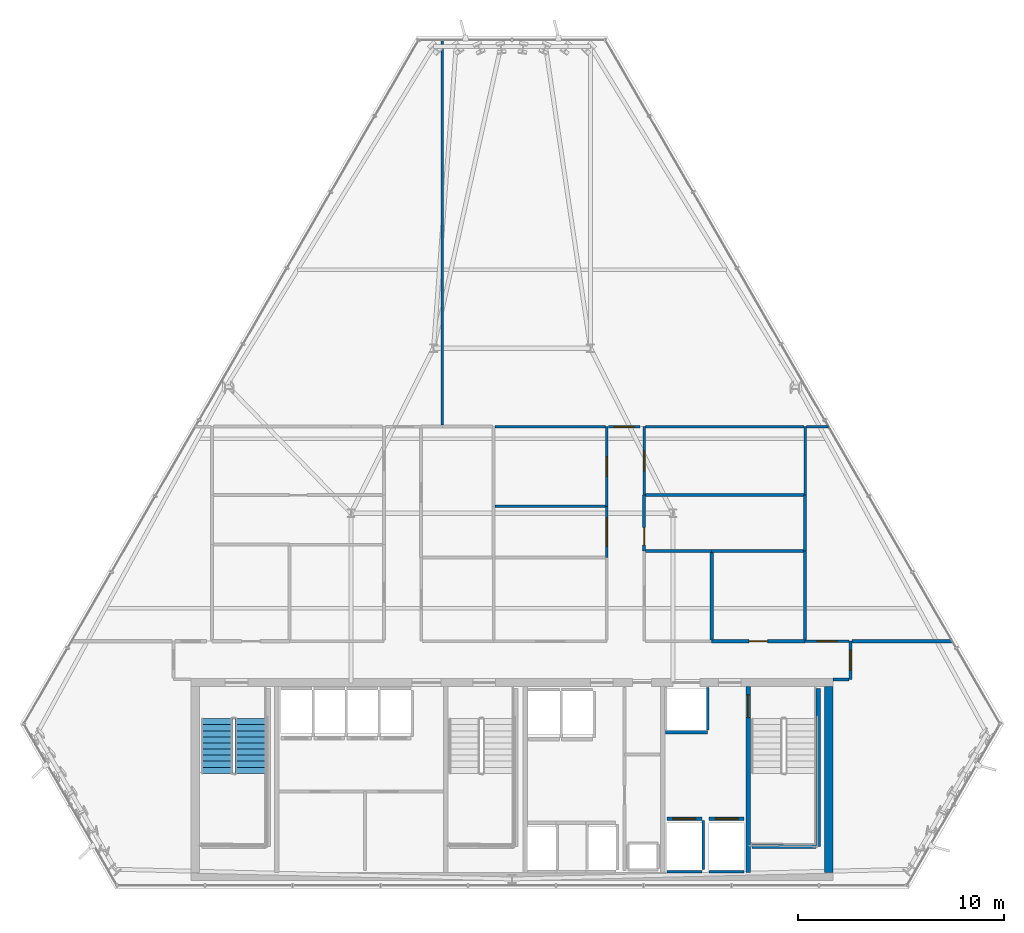
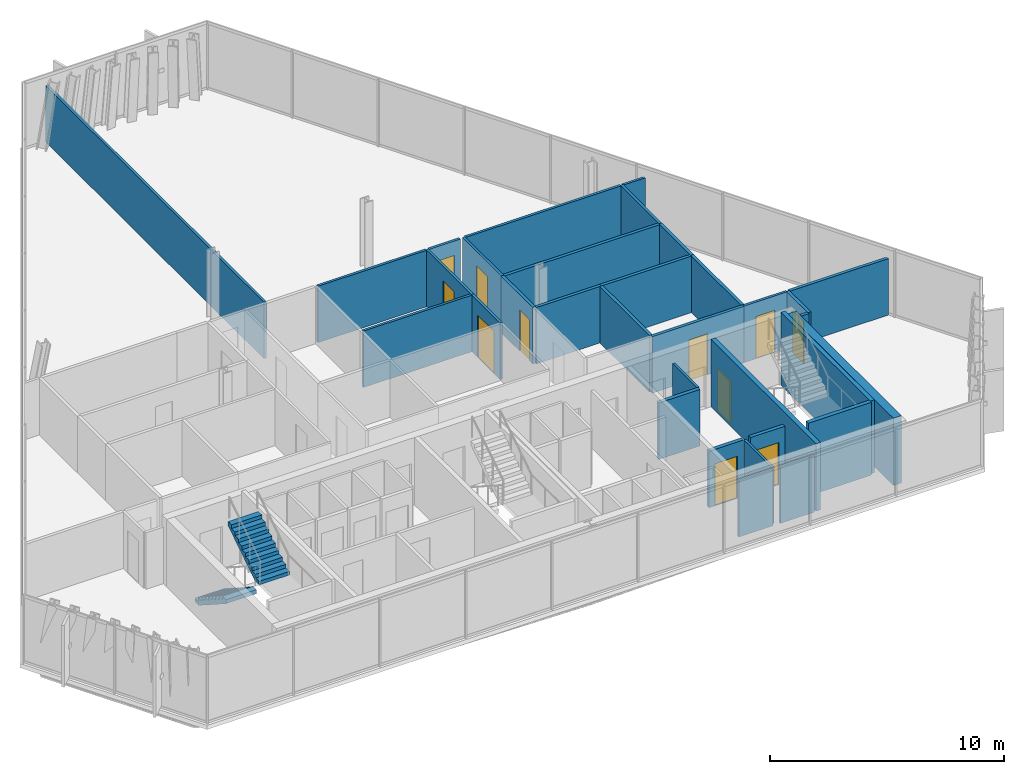
# One storey, part 29 of 34: 33 walls, 11 doors, 2 stair flights, 11 openings, 1 element without a shape of its own.
"""IFC4 building model written with IfcOpenShell, lengths in metres."""

from ifc_helpers import new_model, si_unit, direction, frame, frame_2d, origin, place, context, subcontext, project, spatial, polyline, rectangle, outline, extrude, material, layer, layer_set, type_object, element, fill, aggregate, save


model = new_model("IFC4")

# Units and contexts
model_context = context("Model", 3, precision=1e-05, world=origin(), true_north=direction((0.0, 1.0)))
body_context = subcontext(model_context, "Body", "Model", "MODEL_VIEW")
ifc_project = project(units=[si_unit("LENGTHUNIT", "METRE"), si_unit("AREAUNIT", "SQUARE_METRE"), si_unit("VOLUMEUNIT", "CUBIC_METRE"), si_unit("PLANEANGLEUNIT", "RADIAN"), si_unit("MASSUNIT", "GRAM", prefix="KILO")], contexts=[model_context])

# Site, building, storey
site_placement = place(None, origin())
site = spatial("IfcSite", under=ifc_project, at=site_placement, CompositionType="ELEMENT")
building_placement = place(site_placement, origin())
building = spatial("IfcBuilding", under=site, at=building_placement, Name="Ndaravel Arena Tower", CompositionType="ELEMENT")
storey_placement = place(building_placement, frame((0.0, 0.0, 199.199951171875)))
storey = spatial("IfcBuildingStorey", under=building, at=storey_placement, Name="L48", CompositionType="ELEMENT", Elevation=199.199951171875)

# Wall, opening, door
ifc_material_1 = material(Name="Concrete C50/60", Category="concrete")
ifc_layer_1 = layer(ifc_material_1, 0.219970703125)
ifc_layer_set_1 = layer_set([ifc_layer_1], Name="Concrete C50/60")
wall_type_1 = type_object("IfcWallType", Name="WALL-CORE-220", PredefinedType="SOLIDWALL", material=ifc_layer_set_1)
wall_1_placement = place(storey_placement, frame((53.449951171875, 5.800048828125, 0.0), z_axis=(0.0, 0.0, 1.0), x_axis=(0.0, 1.0, 0.0)))
wall_1 = element("IfcWall", 1, at=wall_1_placement, inside=storey, type_object=wall_type_1, Name="L48 Core Web Shear Wall 5", PredefinedType="SOLIDWALL", context=body_context, shape_type="SweptSolid", body=[
    extrude(rectangle(XDim=9.0, YDim=0.219970703125, at=frame_2d((4.5, 0.0))), origin(), (0.0, 0.0, 1.0), 3.52001953125),
])
opening_1_placement = place(wall_1_placement, frame((7.5, 0.0, 0.0)))
opening_1 = element("IfcOpeningElement", 2, at=opening_1_placement, cuts=wall_1, Name="Opening FD-01", PredefinedType="OPENING", context=body_context, shape_type="SweptSolid", body=[
    extrude(rectangle(XDim=1.10009765625, YDim=2.199951171875, at=frame_2d((0.550048828125, 1.10009765625))), frame((0.0, 0.10986328125, 0.0), z_axis=(0.0, -1.0, 0.0), x_axis=(1.0, 0.0, 0.0)), (0.0, 0.0, 1.0), 0.219970703125),
])
ifc_material_2 = material(Name="Steel S355", Category="steel")
door_type_1 = type_object("IfcDoorType", Name="DT-01-STAIR-1100", OperationType="SINGLE_SWING_LEFT", PredefinedType="DOOR", material=ifc_material_2)
door_1_placement = place(opening_1_placement, origin())
door_1 = element("IfcDoor", 3, at=door_1_placement, inside=storey, type_object=door_type_1, Name="L48 Firefighting Lobby to ST-3 Door", OperationType="SINGLE_SWING_LEFT", OverallHeight=2.199951171875, OverallWidth=1.10009765625, PredefinedType="DOOR", context=body_context, shape_type="SweptSolid", body=[
    extrude(rectangle(XDim=1.10009765625, YDim=2.199951171875, at=frame_2d((0.550048828125, 1.10009765625))), frame((0.0, 0.02490234375, 0.0), z_axis=(0.0, -1.0, 0.0), x_axis=(1.0, 0.0, 0.0)), (0.0, 0.0, 1.0), 0.050048828125),
])
fill(opening_1, door_1)

# Wall
ifc_material_3 = material(Name="Concrete C50/60", Category="concrete")
ifc_layer_2 = layer(ifc_material_3, 0.39990234375)
ifc_layer_set_2 = layer_set([ifc_layer_2], Name="Concrete C50/60")
wall_type_2 = type_object("IfcWallType", Name="WALL-CORE-400", PredefinedType="SOLIDWALL", material=ifc_layer_set_2)
wall_2_placement = place(storey_placement, frame((57.35009765625, 5.800048828125, 0.0), z_axis=(0.0, 0.0, 1.0), x_axis=(0.0, 1.0, 0.0)))
element("IfcWall", 4, at=wall_2_placement, inside=storey, type_object=wall_type_2, Name="L48 Core East Shear Wall", PredefinedType="SOLIDWALL", context=body_context, shape_type="SweptSolid", body=[
    extrude(rectangle(XDim=9.0, YDim=0.39990234375, at=frame_2d((4.5, 0.0))), origin(), (0.0, 0.0, 1.0), 3.52001953125),
])

# Wall, opening, door
ifc_material_4 = material(Name="Gypsum", Category="gypsum")
ifc_layer_3 = layer(ifc_material_4, 0.125)
ifc_layer_set_3 = layer_set([ifc_layer_3], Name="Gypsum")
wall_type_3 = type_object("IfcWallType", Name="WALL-PART-125", PredefinedType="PARTITIONING", material=ifc_layer_set_3)
wall_3_placement = place(storey_placement, frame((46.60009765625, 21.055908203125, 0.0), z_axis=(0.0, 0.0, 1.0), x_axis=(0.0, 1.0, 0.0)))
wall_3 = element("IfcWall", 5, at=wall_3_placement, inside=storey, type_object=wall_type_3, Name="L48 Interior Partition 017", PredefinedType="PARTITIONING", context=body_context, shape_type="SweptSolid", body=[
    extrude(rectangle(XDim=2.474365234375, YDim=0.125, at=frame_2d((1.2373046875, 0.0))), origin(), (0.0, 0.0, 1.0), 2.950439453125),
])
opening_2_placement = place(wall_3_placement, frame((0.537109375, 0.0, 0.0)))
opening_2 = element("IfcOpeningElement", 6, at=opening_2_placement, cuts=wall_3, Name="Opening ID-02", PredefinedType="OPENING", context=body_context, shape_type="SweptSolid", body=[
    extrude(rectangle(XDim=1.39990234375, YDim=2.199951171875, at=frame_2d((0.699951171875, 1.10009765625))), frame((0.0, 0.0625, 0.0), z_axis=(0.0, -1.0, 0.0), x_axis=(1.0, 0.0, 0.0)), (0.0, 0.0, 1.0), 0.125),
])
ifc_material_5 = material(Name="Timber", Category="wood")
door_type_2 = type_object("IfcDoorType", Name="DT-04-SUITE-1400", OperationType="DOUBLE_DOOR_SINGLE_SWING", PredefinedType="DOOR", material=ifc_material_5)
door_2_placement = place(opening_2_placement, origin())
door_2 = element("IfcDoor", 7, at=door_2_placement, inside=storey, type_object=door_type_2, Name="L48 Executive Dining Lounge 4 Door", OperationType="SINGLE_SWING_LEFT", OverallHeight=2.199951171875, OverallWidth=1.39990234375, PredefinedType="DOOR", context=body_context, shape_type="SweptSolid", body=[
    extrude(rectangle(XDim=1.39990234375, YDim=2.199951171875, at=frame_2d((0.699951171875, 1.10009765625))), frame((0.0, 0.02490234375, 0.0), z_axis=(0.0, -1.0, 0.0), x_axis=(1.0, 0.0, 0.0)), (0.0, 0.0, 1.0), 0.050048828125),
])
fill(opening_2, door_2)

wall_4_placement = place(storey_placement, frame((46.60009765625, 23.5302734375, 0.0), z_axis=(0.0, 0.0, 1.0), x_axis=(0.0, 1.0, 0.0)))
wall_4 = element("IfcWall", 8, at=wall_4_placement, inside=storey, type_object=wall_type_3, Name="L48 Interior Partition 018", PredefinedType="PARTITIONING", context=body_context, shape_type="SweptSolid", body=[
    extrude(rectangle(XDim=3.86962890625, YDim=0.125, at=frame_2d((1.934814453125, 0.0))), origin(), (0.0, 0.0, 1.0), 2.950439453125),
])
opening_3_placement = place(wall_4_placement, frame((1.4599609375, 0.0, 0.0)))
opening_3 = element("IfcOpeningElement", 9, at=opening_3_placement, cuts=wall_4, Name="Opening ID-01", PredefinedType="OPENING", context=body_context, shape_type="SweptSolid", body=[
    extrude(rectangle(XDim=0.949951171875, YDim=2.199951171875, at=frame_2d((0.47509765625, 1.10009765625))), frame((0.0, 0.0625, 0.0), z_axis=(0.0, -1.0, 0.0), x_axis=(1.0, 0.0, 0.0)), (0.0, 0.0, 1.0), 0.125),
])
ifc_material_6 = material(Name="Timber", Category="wood")
door_type_3 = type_object("IfcDoorType", Name="DT-03-OFFICE-950", OperationType="SINGLE_SWING_LEFT", PredefinedType="DOOR", material=ifc_material_6)
door_3_placement = place(opening_3_placement, origin())
door_3 = element("IfcDoor", 10, at=door_3_placement, inside=storey, type_object=door_type_3, Name="L48 Hospitality Sitting Room 6 Door", OperationType="SINGLE_SWING_LEFT", OverallHeight=2.199951171875, OverallWidth=0.949951171875, PredefinedType="DOOR", context=body_context, shape_type="SweptSolid", body=[
    extrude(rectangle(XDim=0.949951171875, YDim=2.199951171875, at=frame_2d((0.47509765625, 1.10009765625))), frame((0.0, 0.02490234375, 0.0), z_axis=(0.0, -1.0, 0.0), x_axis=(1.0, 0.0, 0.0)), (0.0, 0.0, 1.0), 0.050048828125),
])
fill(opening_3, door_3)

wall_5_placement = place(storey_placement, frame((46.6650390625, 27.39990234375, 0.0), z_axis=(0.0, 0.0, 1.0), x_axis=(1.0, 0.0, 0.0)))
wall_5 = element("IfcWall", 11, at=wall_5_placement, inside=storey, type_object=wall_type_3, Name="L48 Interior Partition 019", PredefinedType="PARTITIONING", context=body_context, shape_type="SweptSolid", body=[
    extrude(rectangle(XDim=1.534912109375, YDim=0.125, at=frame_2d((0.767578125, 0.0))), origin(), (0.0, 0.0, 1.0), 2.950439453125),
])
opening_4_placement = place(wall_5_placement, frame((0.29248046875, 0.0, 0.0)))
opening_4 = element("IfcOpeningElement", 12, at=opening_4_placement, cuts=wall_5, Name="Opening ID-01", PredefinedType="OPENING", context=body_context, shape_type="SweptSolid", body=[
    extrude(rectangle(XDim=0.949951171875, YDim=2.199951171875, at=frame_2d((0.47509765625, 1.10009765625))), frame((0.0, 0.0625, 0.0), z_axis=(0.0, -1.0, 0.0), x_axis=(1.0, 0.0, 0.0)), (0.0, 0.0, 1.0), 0.125),
])
door_4_placement = place(opening_4_placement, origin())
door_4 = element("IfcDoor", 13, at=door_4_placement, inside=storey, type_object=door_type_3, Name="L48 Executive Dining Lounge 8 Door", OperationType="SINGLE_SWING_LEFT", OverallHeight=2.199951171875, OverallWidth=0.949951171875, PredefinedType="DOOR", context=body_context, shape_type="SweptSolid", body=[
    extrude(rectangle(XDim=0.949951171875, YDim=2.199951171875, at=frame_2d((0.47509765625, 1.10009765625))), frame((0.0, 0.02490234375, 0.0), z_axis=(0.0, -1.0, 0.0), x_axis=(1.0, 0.0, 0.0)), (0.0, 0.0, 1.0), 0.050048828125),
])
fill(opening_4, door_4)

wall_6_placement = place(storey_placement, frame((48.39990234375, 27.39990234375, 0.0), z_axis=(0.0, 0.0, 1.0), x_axis=(0.0, -1.0, 0.0)))
wall_6 = element("IfcWall", 14, at=wall_6_placement, inside=storey, type_object=wall_type_3, Name="L48 Interior Partition 020", PredefinedType="PARTITIONING", context=body_context, shape_type="SweptSolid", body=[
    extrude(rectangle(XDim=3.3173828125, YDim=0.125, at=frame_2d((1.65869140625, 0.0))), origin(), (0.0, 0.0, 1.0), 2.950439453125),
])
opening_5_placement = place(wall_6_placement, frame((1.183837890625, 0.0, 0.0)))
opening_5 = element("IfcOpeningElement", 15, at=opening_5_placement, cuts=wall_6, Name="Opening ID-01", PredefinedType="OPENING", context=body_context, shape_type="SweptSolid", body=[
    extrude(rectangle(XDim=0.949951171875, YDim=2.199951171875, at=frame_2d((0.47509765625, 1.10009765625))), frame((0.0, 0.0625, 0.0), z_axis=(0.0, -1.0, 0.0), x_axis=(1.0, 0.0, 0.0)), (0.0, 0.0, 1.0), 0.125),
])
door_5_placement = place(opening_5_placement, origin())
door_5 = element("IfcDoor", 16, at=door_5_placement, inside=storey, type_object=door_type_3, Name="L48 Quiet Study Room 7 Door", OperationType="SINGLE_SWING_LEFT", OverallHeight=2.199951171875, OverallWidth=0.949951171875, PredefinedType="DOOR", context=body_context, shape_type="SweptSolid", body=[
    extrude(rectangle(XDim=0.949951171875, YDim=2.199951171875, at=frame_2d((0.47509765625, 1.10009765625))), frame((0.0, 0.02490234375, 0.0), z_axis=(0.0, -1.0, 0.0), x_axis=(1.0, 0.0, 0.0)), (0.0, 0.0, 1.0), 0.050048828125),
])
fill(opening_5, door_5)

wall_7_placement = place(storey_placement, frame((56.199951171875, 17.0, 0.0), z_axis=(0.0, 0.0, 1.0), x_axis=(1.0, 0.0, 0.0)))
wall_7 = element("IfcWall", 17, at=wall_7_placement, inside=storey, type_object=wall_type_3, Name="L48 Interior Partition 025", PredefinedType="PARTITIONING", context=body_context, shape_type="SweptSolid", body=[
    extrude(rectangle(XDim=2.135009765625, YDim=0.125, at=frame_2d((1.0673828125, 0.0))), origin(), (0.0, 0.0, 1.0), 2.950439453125),
])
opening_6_placement = place(wall_7_placement, frame((0.592529296875, 0.0, 0.0)))
opening_6 = element("IfcOpeningElement", 18, at=opening_6_placement, cuts=wall_7, Name="Opening ID-01", PredefinedType="OPENING", context=body_context, shape_type="SweptSolid", body=[
    extrude(rectangle(XDim=0.949951171875, YDim=2.199951171875, at=frame_2d((0.47509765625, 1.10009765625))), frame((0.0, 0.0625, 0.0), z_axis=(0.0, -1.0, 0.0), x_axis=(1.0, 0.0, 0.0)), (0.0, 0.0, 1.0), 0.125),
])
door_6_placement = place(opening_6_placement, origin())
door_6 = element("IfcDoor", 19, at=door_6_placement, inside=storey, type_object=door_type_3, Name="L48 Barista Galley 3 Door", OperationType="SINGLE_SWING_RIGHT", OverallHeight=2.199951171875, OverallWidth=0.949951171875, PredefinedType="DOOR", context=body_context, shape_type="SweptSolid", body=[
    extrude(rectangle(XDim=0.949951171875, YDim=2.199951171875, at=frame_2d((0.47509765625, 1.10009765625))), frame((0.0, 0.02490234375, 0.0), z_axis=(0.0, -1.0, 0.0), x_axis=(1.0, 0.0, 0.0)), (0.0, 0.0, 1.0), 0.050048828125),
])
fill(opening_6, door_6)

# Walls
wall_8_placement = place(storey_placement, frame((56.199951171875, 24.08251953125, 0.0), z_axis=(0.0, 0.0, 1.0), x_axis=(0.0, 1.0, 0.0)))
element("IfcWall", 20, at=wall_8_placement, inside=storey, type_object=wall_type_3, Name="L48 Interior Partition 042", PredefinedType="PARTITIONING", context=body_context, shape_type="SweptSolid", body=[
    extrude(rectangle(XDim=3.3173828125, YDim=0.125, at=frame_2d((1.65869140625, 0.0))), origin(), (0.0, 0.0, 1.0), 2.950439453125),
])
wall_9_placement = place(storey_placement, frame((56.264892578125, 27.39990234375, 0.0), z_axis=(0.0, 0.0, 1.0), x_axis=(1.0, 0.0, 0.0)))
element("IfcWall", 21, at=wall_9_placement, inside=storey, type_object=wall_type_3, Name="L48 Interior Partition 043", PredefinedType="PARTITIONING", context=body_context, shape_type="SweptSolid", body=[
    extrude(rectangle(XDim=1.069580078125, YDim=0.125, at=frame_2d((0.53466796875, 0.0))), origin(), (0.0, 0.0, 1.0), 2.950439453125),
])
for number, where, z_axis, x_axis, name in (
    (22, (41.175048828125, 23.5302734375, 0.0), (0.0, 0.0, 1.0), (1.0, 0.0, 0.0), "L48 Interior Partition 045"),
    (23, (41.175048828125, 27.39990234375, 0.0), (0.0, 0.0, 1.0), (1.0, 0.0, 0.0), "L48 Interior Partition 051"),
):
    element("IfcWall", number, at=place(storey_placement, frame(where, z_axis=z_axis, x_axis=x_axis)), inside=storey, type_object=wall_type_3, Name=name, PredefinedType="PARTITIONING", context=body_context, shape_type="SweptSolid", body=[
        extrude(rectangle(XDim=5.35986328125, YDim=0.125, at=frame_2d((2.679931640625, 0.0))), origin(), (0.0, 0.0, 1.0), 2.950439453125),
    ])
wall_10_placement = place(storey_placement, frame((48.465087890625, 27.39990234375, 0.0), z_axis=(0.0, 0.0, 1.0), x_axis=(1.0, 0.0, 0.0)))
element("IfcWall", 24, at=wall_10_placement, inside=storey, type_object=wall_type_3, Name="L48 Interior Partition 054", PredefinedType="PARTITIONING", context=body_context, shape_type="SweptSolid", body=[
    extrude(rectangle(XDim=7.669921875, YDim=0.125, at=frame_2d((3.8349609375, 0.0))), origin(), (0.0, 0.0, 1.0), 2.950439453125),
])
wall_11_placement = place(storey_placement, frame((38.62646484375, 46.1259765625, 0.0), z_axis=(0.0, 0.0, 1.0), x_axis=(0.0, -1.0, 0.0)))
element("IfcWall", 25, at=wall_11_placement, inside=storey, type_object=wall_type_3, Name="L48 Interior Partition 056", PredefinedType="PARTITIONING", context=body_context, shape_type="SweptSolid", body=[
    extrude(rectangle(XDim=18.660888671875, YDim=0.125, at=frame_2d((9.33056640625, 0.0))), origin(), (0.0, 0.0, 1.0), 2.950439453125),
])
ifc_material_7 = material(Name="Concrete C40/50", Category="concrete")
ifc_layer_4 = layer(ifc_material_7, 0.1201171875)
ifc_layer_set_4 = layer_set([ifc_layer_4], Name="Concrete C40/50")
wall_type_4 = type_object("IfcWallType", Name="WALL-SHAFT-120", PredefinedType="SOLIDWALL", material=ifc_layer_set_4)
wall_12_placement = place(storey_placement, frame((49.5048828125, 5.840087890625, 0.0), z_axis=(0.0, 0.0, 1.0), x_axis=(1.0, 0.0, 0.0)))
element("IfcWall", 26, at=wall_12_placement, inside=storey, type_object=wall_type_4, Name="L48 FFL-1 Shaft Rear Wall", PredefinedType="SOLIDWALL", context=body_context, shape_type="SweptSolid", body=[
    extrude(rectangle(XDim=1.690185546875, YDim=0.1201171875, at=frame_2d((0.84521484375, 0.0))), origin(), (0.0, 0.0, 1.0), 2.950439453125),
])
wall_13_placement = place(storey_placement, frame((51.27490234375, 5.929931640625, 0.0), z_axis=(0.0, 0.0, 1.0), x_axis=(0.0, 1.0, 0.0)))
element("IfcWall", 27, at=wall_13_placement, inside=storey, type_object=wall_type_4, Name="L48 FFL-1 Shaft Side R Wall", PredefinedType="SOLIDWALL", context=body_context, shape_type="SweptSolid", body=[
    extrude(rectangle(XDim=2.380126953125, YDim=0.1201171875, at=frame_2d((1.18994140625, 0.0))), origin(), (0.0, 0.0, 1.0), 2.950439453125),
])
wall_14_placement = place(storey_placement, frame((51.554931640625, 5.840087890625, 0.0), z_axis=(0.0, 0.0, 1.0), x_axis=(1.0, 0.0, 0.0)))
element("IfcWall", 28, at=wall_14_placement, inside=storey, type_object=wall_type_4, Name="L48 FFL-2 Shaft Rear Wall", PredefinedType="SOLIDWALL", context=body_context, shape_type="SweptSolid", body=[
    extrude(rectangle(XDim=1.690185546875, YDim=0.1201171875, at=frame_2d((0.84521484375, 0.0))), origin(), (0.0, 0.0, 1.0), 2.950439453125),
])
wall_15_placement = place(storey_placement, frame((51.47998046875, 12.68994140625, 0.0), z_axis=(0.0, 0.0, 1.0), x_axis=(0.0, 1.0, 0.0)))
element("IfcWall", 29, at=wall_15_placement, inside=storey, type_object=wall_type_4, Name="L48 SVL-1 Shaft E Wall", PredefinedType="SOLIDWALL", context=body_context, shape_type="SweptSolid", body=[
    extrude(rectangle(XDim=2.070068359375, YDim=0.1201171875, at=frame_2d((1.03515625, 0.0))), origin(), (0.0, 0.0, 1.0), 2.950439453125),
])
ifc_material_8 = material(Name="Concrete C40/50", Category="concrete")
ifc_layer_5 = layer(ifc_material_8, 0.199951171875)
ifc_layer_set_5 = layer_set([ifc_layer_5], Name="Concrete C40/50")
wall_type_5 = type_object("IfcWallType", Name="WALL-SHAFT-200", PredefinedType="SOLIDWALL", material=ifc_layer_set_5)
wall_16_placement = place(storey_placement, frame((56.840087890625, 14.699951171875, 0.0), z_axis=(0.0, 0.0, 1.0), x_axis=(0.0, -1.0, 0.0)))
element("IfcWall", 30, at=wall_16_placement, inside=storey, type_object=wall_type_5, Name="L48 ST-3 Structural Shaft Wall Right", PredefinedType="SOLIDWALL", context=body_context, shape_type="SweptSolid", body=[
    extrude(rectangle(XDim=7.64990234375, YDim=0.199951171875, at=frame_2d((3.824951171875, 0.0))), origin(), (0.0, 0.0, 1.0), 3.800048828125),
])
wall_17_placement = place(storey_placement, frame((53.6201171875, 7.050048828125, 0.0), z_axis=(0.0, 0.0, 1.0), x_axis=(1.0, 0.0, 0.0)))
element("IfcWall", 31, at=wall_17_placement, inside=storey, type_object=wall_type_5, Name="L48 ST-3 Structural Shaft Wall Far", PredefinedType="SOLIDWALL", context=body_context, shape_type="SweptSolid", body=[
    extrude(rectangle(XDim=3.114990234375, YDim=0.199951171875, at=frame_2d((1.5576171875, 0.0))), origin(), (0.0, 0.0, 1.0), 3.800048828125),
])

# Wall, opening, door
wall_18_placement = place(storey_placement, frame((49.5048828125, 8.39990234375, 0.0), z_axis=(0.0, 0.0, 1.0), x_axis=(1.0, 0.0, 0.0)))
wall_18 = element("IfcWall", 32, at=wall_18_placement, inside=storey, type_object=wall_type_5, Name="L48 FFL-1 Shaft Landing Wall", PredefinedType="SOLIDWALL", context=body_context, shape_type="SweptSolid", body=[
    extrude(rectangle(XDim=1.690185546875, YDim=0.179931640625, at=frame_2d((0.84521484375, 0.0))), origin(), (0.0, 0.0, 1.0), 2.950439453125),
])
opening_7_placement = place(wall_18_placement, frame((0.294921875, 0.0, 0.0)))
opening_7 = element("IfcOpeningElement", 33, at=opening_7_placement, cuts=wall_18, Name="Opening LD-01", PredefinedType="OPENING", context=body_context, shape_type="SweptSolid", body=[
    extrude(rectangle(XDim=1.10009765625, YDim=2.199951171875, at=frame_2d((0.550048828125, 1.10009765625))), frame((0.0, 0.08984375, 0.0), z_axis=(0.0, -1.0, 0.0), x_axis=(1.0, 0.0, 0.0)), (0.0, 0.0, 1.0), 0.179931640625),
])
ifc_material_9 = material(Name="Steel S355", Category="steel")
door_type_4 = type_object("IfcDoorType", Name="DT-06-LIFT-1100", OperationType="SLIDING_TO_LEFT", PredefinedType="DOOR", material=ifc_material_9)
door_7_placement = place(opening_7_placement, origin())
door_7 = element("IfcDoor", 34, at=door_7_placement, inside=storey, type_object=door_type_4, Name="L48 Lift FFL-1 Sliding Landing Door", OperationType="SLIDING_TO_LEFT", OverallHeight=2.199951171875, OverallWidth=1.10009765625, PredefinedType="DOOR", context=body_context, shape_type="SweptSolid", body=[
    extrude(rectangle(XDim=1.10009765625, YDim=2.199951171875, at=frame_2d((0.550048828125, 1.10009765625))), frame((0.0, 0.02490234375, 0.0), z_axis=(0.0, -1.0, 0.0), x_axis=(1.0, 0.0, 0.0)), (0.0, 0.0, 1.0), 0.050048828125),
])
fill(opening_7, door_7)

wall_19_placement = place(storey_placement, frame((51.554931640625, 8.39990234375, 0.0), z_axis=(0.0, 0.0, 1.0), x_axis=(1.0, 0.0, 0.0)))
wall_19 = element("IfcWall", 35, at=wall_19_placement, inside=storey, type_object=wall_type_5, Name="L48 FFL-2 Shaft Landing Wall", PredefinedType="SOLIDWALL", context=body_context, shape_type="SweptSolid", body=[
    extrude(rectangle(XDim=1.690185546875, YDim=0.179931640625, at=frame_2d((0.84521484375, 0.0))), origin(), (0.0, 0.0, 1.0), 2.950439453125),
])
opening_8_placement = place(wall_19_placement, frame((0.294921875, 0.0, 0.0)))
opening_8 = element("IfcOpeningElement", 36, at=opening_8_placement, cuts=wall_19, Name="Opening LD-01", PredefinedType="OPENING", context=body_context, shape_type="SweptSolid", body=[
    extrude(rectangle(XDim=1.10009765625, YDim=2.199951171875, at=frame_2d((0.550048828125, 1.10009765625))), frame((0.0, 0.08984375, 0.0), z_axis=(0.0, -1.0, 0.0), x_axis=(1.0, 0.0, 0.0)), (0.0, 0.0, 1.0), 0.179931640625),
])
door_8_placement = place(opening_8_placement, origin())
door_8 = element("IfcDoor", 37, at=door_8_placement, inside=storey, type_object=door_type_4, Name="L48 Lift FFL-2 Sliding Landing Door", OperationType="SLIDING_TO_LEFT", OverallHeight=2.199951171875, OverallWidth=1.10009765625, PredefinedType="DOOR", context=body_context, shape_type="SweptSolid", body=[
    extrude(rectangle(XDim=1.10009765625, YDim=2.199951171875, at=frame_2d((0.550048828125, 1.10009765625))), frame((0.0, 0.02490234375, 0.0), z_axis=(0.0, -1.0, 0.0), x_axis=(1.0, 0.0, 0.0)), (0.0, 0.0, 1.0), 0.050048828125),
])
fill(opening_8, door_8)

# Wall
wall_20_placement = place(storey_placement, frame((49.43994140625, 12.594970703125, 0.0), z_axis=(0.0, 0.0, 1.0), x_axis=(1.0, 0.0, 0.0)))
element("IfcWall", 38, at=wall_20_placement, inside=storey, type_object=wall_type_5, Name="L48 SVL-1 Shaft South Wall", PredefinedType="SOLIDWALL", context=body_context, shape_type="SweptSolid", body=[
    extrude(rectangle(XDim=2.0400390625, YDim=0.179931640625, at=frame_2d((1.02001953125, 0.0))), origin(), (0.0, 0.0, 1.0), 2.950439453125),
])

# Wall, opening, door
ifc_material_10 = material(Name="Masonry", Category="masonry")
ifc_layer_6 = layer(ifc_material_10, 0.14990234375)
ifc_layer_set_6 = layer_set([ifc_layer_6], Name="Masonry")
wall_type_6 = type_object("IfcWallType", Name="WALL-WET-150", PredefinedType="PARTITIONING", material=ifc_layer_set_6)
wall_21_placement = place(storey_placement, frame((58.39990234375, 17.0, 0.0), z_axis=(0.0, 0.0, 1.0), x_axis=(0.0, -1.0, 0.0)))
wall_21 = element("IfcWall", 39, at=wall_21_placement, inside=storey, type_object=wall_type_6, Name="L48 Interior Partition 001", PredefinedType="PARTITIONING", context=body_context, shape_type="SweptSolid", body=[
    extrude(rectangle(XDim=1.85009765625, YDim=0.14990234375, at=frame_2d((0.925048828125, 0.0))), origin(), (0.0, 0.0, 1.0), 2.950439453125),
])
opening_9_placement = place(wall_21_placement, frame((0.449951171875, 0.0, 0.0)))
opening_9 = element("IfcOpeningElement", 40, at=opening_9_placement, cuts=wall_21, Name="Opening FD-03", PredefinedType="OPENING", context=body_context, shape_type="SweptSolid", body=[
    extrude(rectangle(XDim=0.949951171875, YDim=2.199951171875, at=frame_2d((0.47509765625, 1.10009765625))), frame((0.0, 0.074951171875, 0.0), z_axis=(0.0, -1.0, 0.0), x_axis=(1.0, 0.0, 0.0)), (0.0, 0.0, 1.0), 0.14990234375),
])
ifc_material_11 = material(Name="Steel S355", Category="steel")
door_type_5 = type_object("IfcDoorType", Name="DT-11-CORE-950", OperationType="SINGLE_SWING_LEFT", PredefinedType="DOOR", material=ifc_material_11)
door_9_placement = place(opening_9_placement, origin())
door_9 = element("IfcDoor", 41, at=door_9_placement, inside=storey, type_object=door_type_5, Name="L48 Staff Espresso Kitchen Door", OperationType="SINGLE_SWING_RIGHT", OverallHeight=2.199951171875, OverallWidth=0.949951171875, PredefinedType="DOOR", context=body_context, shape_type="SweptSolid", body=[
    extrude(rectangle(XDim=0.949951171875, YDim=2.199951171875, at=frame_2d((0.47509765625, 1.10009765625))), frame((0.0, 0.02490234375, 0.0), z_axis=(0.0, -1.0, 0.0), x_axis=(1.0, 0.0, 0.0)), (0.0, 0.0, 1.0), 0.050048828125),
])
fill(opening_9, door_9)

# Wall
wall_22_placement = place(storey_placement, frame((58.3349609375, 15.14990234375, 0.0), z_axis=(0.0, 0.0, 1.0), x_axis=(-1.0, 0.0, 0.0)))
element("IfcWall", 42, at=wall_22_placement, inside=storey, type_object=wall_type_6, Name="L48 Interior Partition 002", PredefinedType="PARTITIONING", context=body_context, shape_type="SweptSolid", body=[
    extrude(rectangle(XDim=0.784912109375, YDim=0.14990234375, at=frame_2d((0.392578125, 0.0))), origin(), (0.0, 0.0, 1.0), 2.950439453125),
])

# Wall, opening, door
wall_23_placement = place(storey_placement, frame((48.39990234375, 24.08251953125, 0.0), z_axis=(0.0, 0.0, 1.0), x_axis=(0.0, -1.0, 0.0)))
wall_23 = element("IfcWall", 43, at=wall_23_placement, inside=storey, type_object=wall_type_6, Name="L48 Interior Partition 021", PredefinedType="PARTITIONING", context=body_context, shape_type="SweptSolid", body=[
    extrude(rectangle(XDim=2.714599609375, YDim=0.14990234375, at=frame_2d((1.357421875, 0.0))), origin(), (0.0, 0.0, 1.0), 2.950439453125),
])
opening_10_placement = place(wall_23_placement, frame((1.582275390625, 0.0, 0.0)))
opening_10 = element("IfcOpeningElement", 44, at=opening_10_placement, cuts=wall_23, Name="Opening ID-03", PredefinedType="OPENING", context=body_context, shape_type="SweptSolid", body=[
    extrude(rectangle(XDim=0.85009765625, YDim=2.14990234375, at=frame_2d((0.425048828125, 1.074951171875))), frame((0.0, 0.074951171875, 0.0), z_axis=(0.0, -1.0, 0.0), x_axis=(1.0, 0.0, 0.0)), (0.0, 0.0, 1.0), 0.14990234375),
])
ifc_material_12 = material(Name="Timber", Category="wood")
door_type_6 = type_object("IfcDoorType", Name="DT-12-SUB-850", OperationType="SINGLE_SWING_LEFT", PredefinedType="DOOR", material=ifc_material_12)
door_10_placement = place(opening_10_placement, origin())
door_10 = element("IfcDoor", 45, at=door_10_placement, inside=storey, type_object=door_type_6, Name="L48 Floor Servery Kitchen 4 Door", OperationType="SINGLE_SWING_LEFT", OverallHeight=2.14990234375, OverallWidth=0.85009765625, PredefinedType="DOOR", context=body_context, shape_type="SweptSolid", body=[
    extrude(rectangle(XDim=0.85009765625, YDim=2.14990234375, at=frame_2d((0.425048828125, 1.074951171875))), frame((0.0, 0.02490234375, 0.0), z_axis=(0.0, -1.0, 0.0), x_axis=(1.0, 0.0, 0.0)), (0.0, 0.0, 1.0), 0.050048828125),
])
fill(opening_10, door_10)

wall_24_placement = place(storey_placement, frame((51.676025390625, 17.0, 0.0), z_axis=(0.0, 0.0, 1.0), x_axis=(1.0, 0.0, 0.0)))
wall_24 = element("IfcWall", 46, at=wall_24_placement, inside=storey, type_object=wall_type_6, Name="L48 Interior Partition 024", PredefinedType="PARTITIONING", context=body_context, shape_type="SweptSolid", body=[
    extrude(rectangle(XDim=4.52392578125, YDim=0.14990234375, at=frame_2d((2.261962890625, 0.0))), origin(), (0.0, 0.0, 1.0), 2.950439453125),
])
opening_11_placement = place(wall_24_placement, frame((1.81201171875, 0.0, 0.0)))
opening_11 = element("IfcOpeningElement", 47, at=opening_11_placement, cuts=wall_24, Name="Opening WD-01", PredefinedType="OPENING", context=body_context, shape_type="SweptSolid", body=[
    extrude(rectangle(XDim=0.89990234375, YDim=2.14990234375, at=frame_2d((0.449951171875, 1.074951171875))), frame((0.0, 0.074951171875, 0.0), z_axis=(0.0, -1.0, 0.0), x_axis=(1.0, 0.0, 0.0)), (0.0, 0.0, 1.0), 0.14990234375),
])
ifc_material_13 = material(Name="Timber", Category="wood")
door_type_7 = type_object("IfcDoorType", Name="DT-05-WC-900", OperationType="SINGLE_SWING_LEFT", PredefinedType="DOOR", material=ifc_material_13)
door_11_placement = place(opening_11_placement, origin())
door_11 = element("IfcDoor", 48, at=door_11_placement, inside=storey, type_object=door_type_7, Name="L48 Male Staff & Visitor Restroom Door", OperationType="SINGLE_SWING_RIGHT", OverallHeight=2.14990234375, OverallWidth=0.89990234375, PredefinedType="DOOR", context=body_context, shape_type="SweptSolid", body=[
    extrude(rectangle(XDim=0.89990234375, YDim=2.14990234375, at=frame_2d((0.449951171875, 1.074951171875))), frame((0.0, 0.02490234375, 0.0), z_axis=(0.0, -1.0, 0.0), x_axis=(1.0, 0.0, 0.0)), (0.0, 0.0, 1.0), 0.050048828125),
])
fill(opening_11, door_11)

# Walls
wall_25_placement = place(storey_placement, frame((58.465087890625, 17.0, 0.0), z_axis=(0.0, 0.0, 1.0), x_axis=(1.0, 0.0, 0.0)))
element("IfcWall", 49, at=wall_25_placement, inside=storey, type_object=wall_type_6, Name="L48 Interior Partition 027", PredefinedType="PARTITIONING", context=body_context, shape_type="SweptSolid", body=[
    extrude(rectangle(XDim=4.873779296875, YDim=0.14990234375, at=frame_2d((2.43701171875, 0.0))), origin(), (0.0, 0.0, 1.0), 2.950439453125),
])
wall_26_placement = place(storey_placement, frame((48.465087890625, 21.367919921875, 0.0), z_axis=(0.0, 0.0, 1.0), x_axis=(1.0, 0.0, 0.0)))
element("IfcWall", 50, at=wall_26_placement, inside=storey, type_object=wall_type_6, Name="L48 Interior Partition 031", PredefinedType="PARTITIONING", context=body_context, shape_type="SweptSolid", body=[
    extrude(rectangle(XDim=3.2109375, YDim=0.14990234375, at=frame_2d((1.60546875, 0.0))), origin(), (0.0, 0.0, 1.0), 2.950439453125),
])
wall_27_placement = place(storey_placement, frame((51.676025390625, 21.302978515625, 0.0), z_axis=(0.0, 0.0, 1.0), x_axis=(0.0, -1.0, 0.0)))
element("IfcWall", 51, at=wall_27_placement, inside=storey, type_object=wall_type_6, Name="L48 Interior Partition 032", PredefinedType="PARTITIONING", context=body_context, shape_type="SweptSolid", body=[
    extrude(rectangle(XDim=4.238037109375, YDim=0.14990234375, at=frame_2d((2.119140625, 0.0))), origin(), (0.0, 0.0, 1.0), 2.950439453125),
])
wall_28_placement = place(storey_placement, frame((56.199951171875, 21.367919921875, 0.0), z_axis=(0.0, 0.0, 1.0), x_axis=(0.0, -1.0, 0.0)))
element("IfcWall", 52, at=wall_28_placement, inside=storey, type_object=wall_type_6, Name="L48 Interior Partition 033", PredefinedType="PARTITIONING", context=body_context, shape_type="SweptSolid", body=[
    extrude(rectangle(XDim=4.302978515625, YDim=0.14990234375, at=frame_2d((2.1513671875, 0.0))), origin(), (0.0, 0.0, 1.0), 2.950439453125),
])
wall_29_placement = place(storey_placement, frame((51.676025390625, 21.367919921875, 0.0), z_axis=(0.0, 0.0, 1.0), x_axis=(1.0, 0.0, 0.0)))
element("IfcWall", 53, at=wall_29_placement, inside=storey, type_object=wall_type_6, Name="L48 Interior Partition 034", PredefinedType="PARTITIONING", context=body_context, shape_type="SweptSolid", body=[
    extrude(rectangle(XDim=4.458984375, YDim=0.14990234375, at=frame_2d((2.2294921875, 0.0))), origin(), (0.0, 0.0, 1.0), 2.950439453125),
])
wall_30_placement = place(storey_placement, frame((56.199951171875, 21.367919921875, 0.0), z_axis=(0.0, 0.0, 1.0), x_axis=(0.0, 1.0, 0.0)))
element("IfcWall", 54, at=wall_30_placement, inside=storey, type_object=wall_type_6, Name="L48 Interior Partition 041", PredefinedType="PARTITIONING", context=body_context, shape_type="SweptSolid", body=[
    extrude(rectangle(XDim=2.714599609375, YDim=0.14990234375, at=frame_2d((1.357421875, 0.0))), origin(), (0.0, 0.0, 1.0), 2.950439453125),
])
wall_31_placement = place(storey_placement, frame((48.465087890625, 24.08251953125, 0.0), z_axis=(0.0, 0.0, 1.0), x_axis=(1.0, 0.0, 0.0)))
element("IfcWall", 55, at=wall_31_placement, inside=storey, type_object=wall_type_6, Name="L48 Interior Partition 046", PredefinedType="PARTITIONING", context=body_context, shape_type="SweptSolid", body=[
    extrude(rectangle(XDim=7.669921875, YDim=0.14990234375, at=frame_2d((3.8349609375, 0.0))), origin(), (0.0, 0.0, 1.0), 2.950439453125),
])

# Stair, stair flights
ifc_material_14 = material(Name="Concrete C40/50", Category="concrete")
stair_type = type_object("IfcStairType", Name="STAIR-CORE-HT", PredefinedType="HALF_TURN_STAIR", material=ifc_material_14)
stair_placement = place(storey_placement, origin())
stair = element("IfcStair", 56, at=stair_placement, inside=storey, type_object=stair_type, Name="L48 ST-1", PredefinedType="HALF_TURN_STAIR")
ifc_material_15 = material(Name="Concrete C40/50", Category="concrete")
stair_flight_type = type_object("IfcStairFlightType", Name="SFLIGHT-CORE-1680", PredefinedType="STRAIGHT", material=ifc_material_15)
stair_flight_1_placement = place(storey_placement, frame((27.699951171875, 13.25, 0.0), z_axis=(0.0, 0.0, 1.0), x_axis=(0.0, -1.0, 0.0)))
stair_flight_1 = element("IfcStairFlight", 57, at=stair_flight_1_placement, type_object=stair_flight_type, Name="ST-1 flight 1", NumberOfRisers=10, NumberOfTreads=9, PredefinedType="STRAIGHT", RiserHeight=0.19, TreadLength=0.295, context=body_context, shape_type="SweptSolid", body=[
    extrude(outline(polyline([(0.0, 0.0), (0.0, 0.18994140625), (0.294921875, 0.18994140625), (0.294921875, 0.3798828125), (0.590087890625, 0.3798828125), (0.590087890625, 0.570068359375), (0.885009765625, 0.570068359375), (0.885009765625, 0.760009765625), (1.179931640625, 0.760009765625), (1.179931640625, 0.949951171875), (1.47509765625, 0.949951171875), (1.47509765625, 1.139892578125), (1.77001953125, 1.139892578125), (1.77001953125, 1.330078125), (2.06494140625, 1.330078125), (2.06494140625, 1.52001953125), (2.360107421875, 1.52001953125), (2.360107421875, 1.7099609375), (2.655029296875, 1.7099609375), (2.655029296875, 1.89990234375), (2.655029296875, 1.49609375), (0.332275390625, 0.0), (0.0, 0.0)])), frame((0.0, 0.75, 0.0), z_axis=(0.0, -1.0, 0.0), x_axis=(1.0, 0.0, 0.0)), (0.0, 0.0, 1.0), 1.5),
])
stair_flight_2_placement = place(storey_placement, frame((29.340087890625, 10.594970703125, 1.900146484375), z_axis=(0.0, 0.0, 1.0), x_axis=(0.0, 1.0, 0.0)))
stair_flight_2 = element("IfcStairFlight", 58, at=stair_flight_2_placement, type_object=stair_flight_type, Name="ST-1 flight 2", NumberOfRisers=10, NumberOfTreads=9, PredefinedType="STRAIGHT", RiserHeight=0.19, TreadLength=0.295, context=body_context, shape_type="SweptSolid", body=[
    extrude(outline(polyline([(0.0, 0.0), (0.0, 0.18994140625), (0.294921875, 0.18994140625), (0.294921875, 0.3798828125), (0.590087890625, 0.3798828125), (0.590087890625, 0.570068359375), (0.885009765625, 0.570068359375), (0.885009765625, 0.760009765625), (1.179931640625, 0.760009765625), (1.179931640625, 0.949951171875), (1.47509765625, 0.949951171875), (1.47509765625, 1.139892578125), (1.77001953125, 1.139892578125), (1.77001953125, 1.330078125), (2.06494140625, 1.330078125), (2.06494140625, 1.52001953125), (2.360107421875, 1.52001953125), (2.360107421875, 1.7099609375), (2.655029296875, 1.7099609375), (2.655029296875, 1.89990234375), (2.655029296875, 1.49609375), (0.332275390625, 0.0), (0.0, 0.0)])), frame((0.0, 0.75, 0.0), z_axis=(0.0, -1.0, 0.0), x_axis=(1.0, 0.0, 0.0)), (0.0, 0.0, 1.0), 1.5),
])
aggregate(stair, [stair_flight_1, stair_flight_2])

save(model, "model.ifc")
